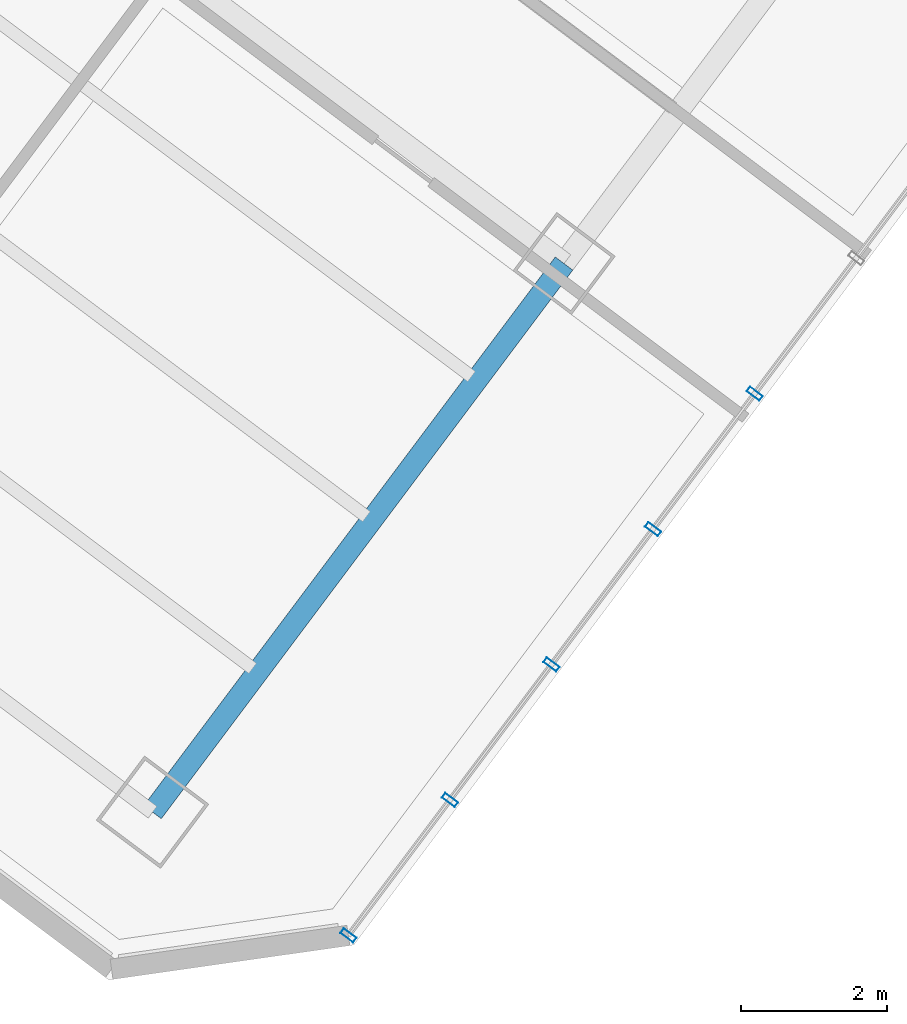
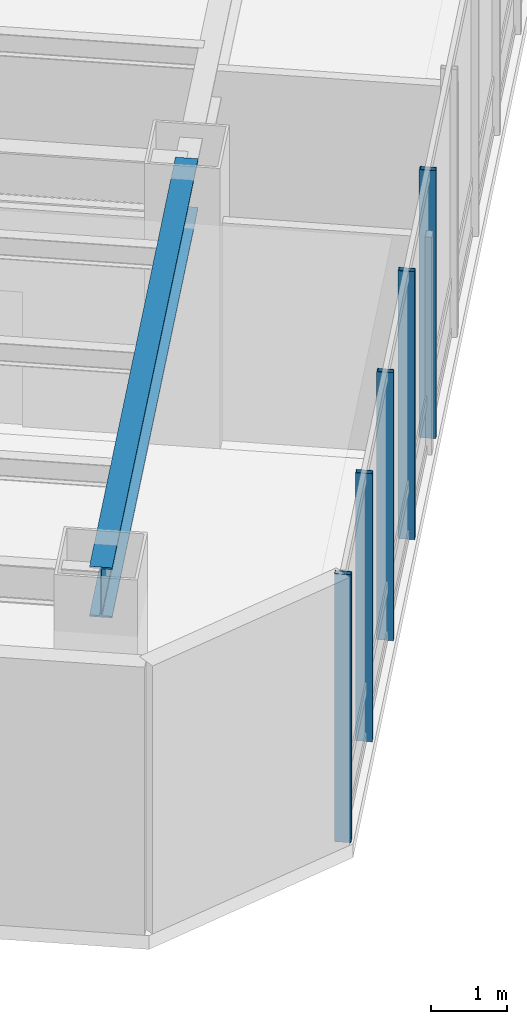
# One storey, part 6 of 29: 5 members, 1 beam, 1 element without a shape of its own.
"""IFC4 building model written with IfcOpenShell, lengths in metres."""

import ifcopenshell
import ifcopenshell.guid

model = None  # the IFC model being written
_history = None  # IfcOwnerHistory: only IFC2X3 demands one
_inside = {}  # id of a spatial element -> (the spatial element, [elements in it])
_under = {}  # id of a project, library or spatial element -> (it, [spatial elements below it])
_declared = {}  # id of a project -> (the project, [libraries it declares])
_typed = {}  # id of a type object -> (the type object, [elements of that type])
_made_of = {}  # id of a material, layer set ... -> (it, [elements and type objects made of it])


def new_model(schema):
    """Start an empty IFC model of exactly this schema.

    Asked for "IFC4X3", IfcOpenShell would pick the latest addendum, in which some entities
    have other attributes; the version numbers below select the first issue.
    IFC2X3 requires an IfcOwnerHistory on every rooted entity: one is made here for all.
    """
    global model, _history
    if schema == "IFC4X3":
        model = ifcopenshell.file(schema_version=(4, 3, 0, 0))
    else:
        model = ifcopenshell.file(schema=schema)
    _inside.clear()
    _under.clear()
    _declared.clear()
    _typed.clear()
    _made_of.clear()
    _history = None
    if model.schema == "IFC2X3":
        org = make("IfcOrganization", Name="unknown")
        user = make(
            "IfcPersonAndOrganization",
            ThePerson=make("IfcPerson", FamilyName="unknown"),
            TheOrganization=org,
        )
        app = make(
            "IfcApplication",
            ApplicationDeveloper=org,
            Version="unknown",
            ApplicationFullName="unknown",
            ApplicationIdentifier="unknown",
        )
        _history = make(
            "IfcOwnerHistory",
            OwningUser=user,
            OwningApplication=app,
            ChangeAction="ADDED",
            CreationDate=0,
        )
    return model


def make(cls, **values):
    """One entity of the class cls with the attributes given. An attribute that is None is left unset."""
    return model.create_entity(
        cls, **{name: value for name, value in values.items() if value is not None}
    )


def rooted(cls, **values):
    """An entity with a GlobalId (a new one), such as an element, a storey or a relation."""
    return make(cls, GlobalId=ifcopenshell.guid.new(), OwnerHistory=_history, **values)


def si_unit(unit_type, name, prefix=None):
    """IfcSIUnit, for example si_unit("LENGTHUNIT", "METRE", prefix="MILLI")."""
    return make("IfcSIUnit", UnitType=unit_type, Prefix=prefix, Name=name)


def assignment(units):
    """IfcUnitAssignment: the units of a project."""
    return None if units is None else make("IfcUnitAssignment", Units=units)


def point(xyz):
    """IfcCartesianPoint."""
    return None if xyz is None else make("IfcCartesianPoint", Coordinates=xyz)


def direction(xyz):
    """IfcDirection."""
    return None if xyz is None else make("IfcDirection", DirectionRatios=xyz)


def frame(location, z_axis=None, x_axis=None):
    """IfcAxis2Placement3D, a coordinate frame: its origin and axes. An axis left out is left unset."""
    return make(
        "IfcAxis2Placement3D",
        Location=point(location),
        Axis=direction(z_axis),
        RefDirection=direction(x_axis),
    )


def frame_2d(location, x_axis=None):
    """IfcAxis2Placement2D, a coordinate frame in the plane: its origin and x axis."""
    return make(
        "IfcAxis2Placement2D", Location=point(location), RefDirection=direction(x_axis)
    )


def origin():
    """The frame at (0, 0, 0) with its axes left unset."""
    return frame((0.0, 0.0, 0.0))


def origin_2d():
    """The frame at (0, 0) in the plane with its x axis left unset."""
    return frame_2d((0.0, 0.0))


def place(relative_to, where):
    """IfcLocalPlacement: puts the frame where relative to a parent placement (None: the world)."""
    return make(
        "IfcLocalPlacement", PlacementRelTo=relative_to, RelativePlacement=where
    )


def context(
    kind, dimensions, precision=None, world=None, true_north=None, identifier=None
):
    """IfcGeometricRepresentationContext, for example the 3D "Model" context."""
    return make(
        "IfcGeometricRepresentationContext",
        ContextIdentifier=identifier,
        ContextType=kind,
        CoordinateSpaceDimension=dimensions,
        Precision=precision,
        WorldCoordinateSystem=world,
        TrueNorth=true_north,
    )


def subcontext(parent, identifier, kind, view, scale=None):
    """IfcGeometricRepresentationSubContext, for example "Body" below "Model"."""
    return make(
        "IfcGeometricRepresentationSubContext",
        ContextIdentifier=identifier,
        ContextType=kind,
        ParentContext=parent,
        TargetScale=scale,
        TargetView=view,
    )


def project(units=None, contexts=None):
    """IfcProject with its units and contexts."""
    return rooted(
        "IfcProject",
        Name="project",
        RepresentationContexts=contexts,
        UnitsInContext=assignment(units),
    )


def spatial(cls, under=None, at=None, **own):
    """A site, building, storey or space (cls), placed at a placement, below another one or the project."""
    s = rooted(cls, ObjectPlacement=at, **own)
    if under is not None:
        _under.setdefault(under.id(), (under, []))[1].append(s)
    return s


def profile(cls, at=None, kind="AREA", **sizes):
    """A parametric profile (cls). Its sizes go by their IFC names, for example OverallWidth=200.0."""
    return make(cls, ProfileType=kind, Position=at, **sizes)


def hollow_rectangle(**sizes):
    """IfcRectangleHollowProfileDef."""
    return profile("IfcRectangleHollowProfileDef", **sizes)


def i_section(**sizes):
    """IfcIShapeProfileDef."""
    return profile("IfcIShapeProfileDef", **sizes)


def extrude(swept, where, along, depth):
    """IfcExtrudedAreaSolid: the profile swept, set in the frame where, extruded along a direction by depth."""
    return make(
        "IfcExtrudedAreaSolid",
        SweptArea=swept,
        Position=where,
        ExtrudedDirection=direction(along),
        Depth=depth,
    )


def shape(context_of_items, identifier, shape_type, items):
    """IfcShapeRepresentation: the items that make up one representation, for example the "Body"."""
    return make(
        "IfcShapeRepresentation",
        ContextOfItems=context_of_items,
        RepresentationIdentifier=identifier,
        RepresentationType=shape_type,
        Items=items,
    )


def material(Name=None, Category=None):
    """IfcMaterial."""
    return make("IfcMaterial", Name=Name, Category=Category)


def layer(
    of_material, thickness, ventilated=None, Name=None, Category=None, Priority=None
):
    """IfcMaterialLayer: one layer of a wall or slab, of a material (None: an air gap)."""
    return make(
        "IfcMaterialLayer",
        Material=of_material,
        LayerThickness=thickness,
        IsVentilated=ventilated,
        Name=Name,
        Category=Category,
        Priority=Priority,
    )


def layer_set(layers, Name=None):
    """IfcMaterialLayerSet."""
    return make("IfcMaterialLayerSet", MaterialLayers=layers, LayerSetName=Name)


def material_profile(
    of_material, cross_section, Name=None, Category=None, Priority=None
):
    """IfcMaterialProfile: a cross section and its material."""
    return make(
        "IfcMaterialProfile",
        Name=Name,
        Material=of_material,
        Profile=cross_section,
        Priority=Priority,
        Category=Category,
    )


def profile_set(profiles, Name=None, composite=None):
    """IfcMaterialProfileSet."""
    return make(
        "IfcMaterialProfileSet",
        Name=Name,
        MaterialProfiles=profiles,
        CompositeProfile=composite,
    )


def made_of(thing, what):
    """Note that an element or type object is made of a material, layer set ...; save() writes the relation."""
    if what is not None:
        _made_of.setdefault(what.id(), (what, []))[1].append(thing)
    return thing


def type_object(cls, material=None, **own):
    """A type object (cls), such as IfcWallType, which elements share."""
    return made_of(rooted(cls, **own), material)


def element(
    cls,
    number,
    at=None,
    inside=None,
    cuts=None,
    type_object=None,
    material=None,
    context=None,
    identifier="Body",
    shape_type=None,
    held_by="IfcProductDefinitionShape",
    body=None,
    shapes=None,
    **own,
):
    """One element of the class cls, such as IfcWall. Its Tag is "e" and its number.

    at: its placement. inside: the storey or other place that contains it. cuts: it is an
    opening in that element (IfcRelVoidsElement). A single representation is given by context,
    identifier, shape_type and body (its items); several are given by shapes. held_by: the class
    of the entity that holds the representations. save() writes the other relations.
    """
    e = rooted(cls, Tag="e%d" % number, ObjectPlacement=at, **own)
    if body is not None:
        shapes = [shape(context, identifier, shape_type, body)]
    if shapes is not None:
        e.Representation = make(held_by, Representations=shapes)
    if inside is not None:
        _inside.setdefault(inside.id(), (inside, []))[1].append(e)
    if cuts is not None:
        rooted(
            "IfcRelVoidsElement", RelatingBuildingElement=cuts, RelatedOpeningElement=e
        )
    if type_object is not None:
        _typed.setdefault(type_object.id(), (type_object, []))[1].append(e)
    return made_of(e, material)


def aggregate(whole, parts):
    """IfcRelAggregates: a whole, such as a stair, and the parts it consists of."""
    return rooted("IfcRelAggregates", RelatingObject=whole, RelatedObjects=parts)


def save(model, path):
    """Write the relations noted so far, then the file.

    IfcRelAggregates (storeys below a building ...), IfcRelContainedInSpatialStructure (elements
    in a storey), IfcRelDefinesByType, IfcRelAssociatesMaterial and IfcRelDeclares: one each for
    every whole, place, type object, material and project.
    """
    for whole, parts in _under.values():
        aggregate(whole, parts)
    for where, things in _inside.values():
        rooted(
            "IfcRelContainedInSpatialStructure",
            RelatedElements=things,
            RelatingStructure=where,
        )
    for kind, things in _typed.values():
        rooted("IfcRelDefinesByType", RelatedObjects=things, RelatingType=kind)
    for what, things in _made_of.values():
        rooted("IfcRelAssociatesMaterial", RelatedObjects=things, RelatingMaterial=what)
    for by, libraries in _declared.values():
        rooted("IfcRelDeclares", RelatingContext=by, RelatedDefinitions=libraries)
    model.write(path)


model = new_model("IFC4")

# Units and contexts
model_context = context("Model", 3, precision=1e-05, world=origin(), true_north=direction((0.0, 1.0)))
body_context = subcontext(model_context, "Body", "Model", "MODEL_VIEW")
ifc_project = project(units=[si_unit("LENGTHUNIT", "METRE"), si_unit("AREAUNIT", "SQUARE_METRE"), si_unit("VOLUMEUNIT", "CUBIC_METRE"), si_unit("PLANEANGLEUNIT", "RADIAN"), si_unit("MASSUNIT", "GRAM", prefix="KILO")], contexts=[model_context])

# Site, building, storey
site_placement = place(None, origin())
site = spatial("IfcSite", under=ifc_project, at=site_placement, CompositionType="ELEMENT")
building_placement = place(site_placement, origin())
building = spatial("IfcBuilding", under=site, at=building_placement, Name="Hatsunagi Terrace Concourse", CompositionType="ELEMENT")
storey_placement = place(building_placement, frame((0.0, 0.0, 32.10009765625)))
storey = spatial("IfcBuildingStorey", under=building, at=storey_placement, Name="L07", CompositionType="ELEMENT", Elevation=32.10009765625)

# Curtain wall, members
ifc_material_1 = material(Name="Anodised Aluminium Alloy 6063-T5", Category="aluminium")
ifc_layer = layer(ifc_material_1, 0.199951171875)
ifc_layer_set = layer_set([ifc_layer], Name="SkyLobbyAtrium_CW05")
curtain_wall_type = type_object("IfcCurtainWallType", Name="SkyLobbyAtrium_CW05", PredefinedType="NOTDEFINED", material=ifc_layer_set)
curtain_wall_placement = place(storey_placement, origin())
curtain_wall = element("IfcCurtainWall", 1, at=curtain_wall_placement, inside=storey, type_object=curtain_wall_type, Name="Unitised Curtain Wall CW-05 CW-L07-03", PredefinedType="NOTDEFINED")
ifc_material_2 = material(Name="Anodised Aluminium Alloy 6063-T5", Category="aluminium")
ifc_material_profile_1 = material_profile(ifc_material_2, hollow_rectangle(XDim=0.080078125, YDim=0.219970703125, WallThickness=0.0048828125, at=origin_2d()), Name="ALU-MUL-220x80x5")
ifc_profile_set_1 = profile_set([ifc_material_profile_1], Name="Anodised Aluminium Alloy 6063-T5")
member_type = type_object("IfcMemberType", Name="CurtainWallMullion_Heavy_220x80", PredefinedType="MULLION", material=ifc_profile_set_1)
member_1_placement = place(storey_placement, frame((62.132080078125, 10.3759765625, 0.0), z_axis=(0.0, 0.0, 1.0), x_axis=(-0.599969314634, -0.800023013105, 0.0)))
member_1 = element("IfcMember", 2, at=member_1_placement, type_object=member_type, Name="Curtain Wall Mullion MUL-01", PredefinedType="MULLION", context=body_context, shape_type="SweptSolid", body=[
    extrude(hollow_rectangle(XDim=0.080078125, YDim=0.219970703125, WallThickness=0.0048828125, at=origin_2d()), origin(), (0.0, 0.0, 1.0), 4.27978515625),
])
member_2_placement = place(storey_placement, frame((60.739990234375, 8.51904296875, 0.0), z_axis=(0.0, 0.0, 1.0), x_axis=(-0.599969314634, -0.800023013105, 0.0)))
member_2 = element("IfcMember", 3, at=member_2_placement, type_object=member_type, Name="Curtain Wall Mullion MUL-01", PredefinedType="MULLION", context=body_context, shape_type="SweptSolid", body=[
    extrude(hollow_rectangle(XDim=0.080078125, YDim=0.219970703125, WallThickness=0.0048828125, at=origin_2d()), origin(), (0.0, 0.0, 1.0), 4.27978515625),
])
member_3_placement = place(storey_placement, frame((59.346923828125, 6.6630859375, 0.0), z_axis=(0.0, 0.0, 1.0), x_axis=(-0.599969314634, -0.800023013105, 0.0)))
member_3 = element("IfcMember", 4, at=member_3_placement, type_object=member_type, Name="Curtain Wall Mullion MUL-01", PredefinedType="MULLION", context=body_context, shape_type="SweptSolid", body=[
    extrude(hollow_rectangle(XDim=0.080078125, YDim=0.219970703125, WallThickness=0.0048828125, at=origin_2d()), origin(), (0.0, 0.0, 1.0), 4.27978515625),
])
member_4_placement = place(storey_placement, frame((57.955078125, 4.805908203125, 0.0), z_axis=(0.0, 0.0, 1.0), x_axis=(-0.599969314634, -0.800023013105, 0.0)))
member_4 = element("IfcMember", 5, at=member_4_placement, type_object=member_type, Name="Curtain Wall Mullion MUL-01", PredefinedType="MULLION", context=body_context, shape_type="SweptSolid", body=[
    extrude(hollow_rectangle(XDim=0.080078125, YDim=0.219970703125, WallThickness=0.0048828125, at=origin_2d()), origin(), (0.0, 0.0, 1.0), 4.27978515625),
])
member_5_placement = place(storey_placement, frame((56.56298828125, 2.949951171875, 0.0), z_axis=(0.0, 0.0, 1.0), x_axis=(-0.599969314634, -0.800023013105, 0.0)))
member_5 = element("IfcMember", 6, at=member_5_placement, type_object=member_type, Name="Curtain Wall Mullion MUL-01", PredefinedType="MULLION", context=body_context, shape_type="SweptSolid", body=[
    extrude(hollow_rectangle(XDim=0.080078125, YDim=0.219970703125, WallThickness=0.0048828125, at=origin_2d()), origin(), (0.0, 0.0, 1.0), 4.27978515625),
])
aggregate(curtain_wall, [member_1, member_2, member_3, member_4, member_5])

# Beam
ifc_material_3 = material(Name="Steel SN490B", Category="steel")
ifc_material_profile_2 = material_profile(ifc_material_3, i_section(OverallWidth=0.300048828125, OverallDepth=0.800048828125, WebThickness=0.013916015625, FlangeThickness=0.02587890625, FilletRadius=0.02197265625, at=origin_2d()), Name="H-800x300x14x26")
ifc_profile_set_2 = profile_set([ifc_material_profile_2], Name="Steel SN490B")
beam_type = type_object("IfcBeamType", Name="SkyLobbyGirder_H_800x300", PredefinedType="BEAM", material=ifc_profile_set_2)
beam_placement = place(storey_placement, frame((53.8798828125, 4.639892578125, 3.8798828125), z_axis=(0.600008311051, 0.799993766644, 0.0), x_axis=(-0.799993766644, 0.600008311051, 0.0)))
element("IfcBeam", 7, at=beam_placement, inside=storey, type_object=beam_type, Name="Beam G-03 BM-L07-SET-3A", PredefinedType="BEAM", context=body_context, shape_type="SweptSolid", body=[
    extrude(i_section(OverallWidth=0.300048828125, OverallDepth=0.800048828125, WebThickness=0.013916015625, FlangeThickness=0.02587890625, FilletRadius=0.02197265625, at=origin_2d()), origin(), (0.0, 0.0, 1.0), 9.400146484375),
])

save(model, "model.ifc")
